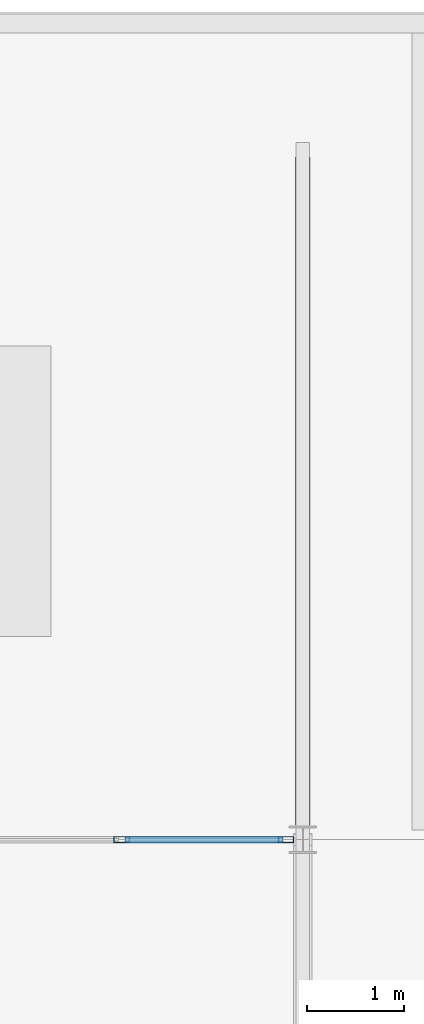
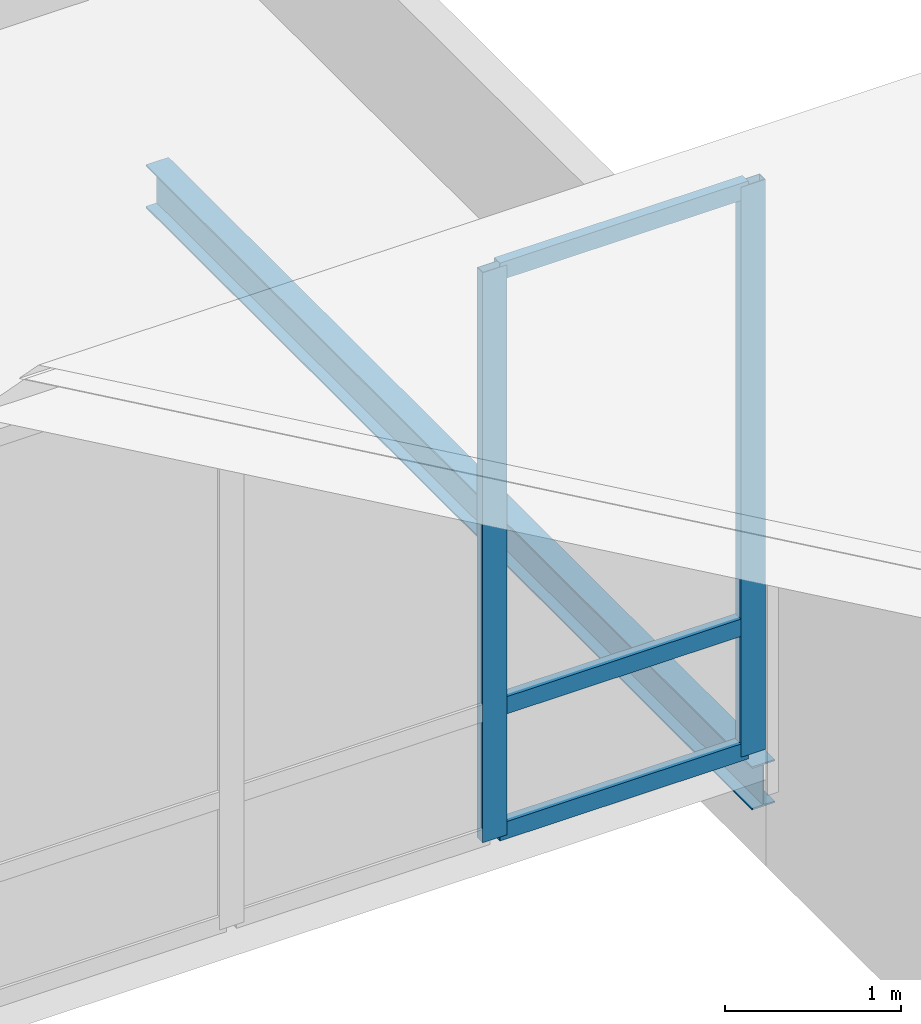
# One storey, part 87 of 157: 5 members, 1 beam, 1 element without a shape of its own.
"""IFC4 building model written with IfcOpenShell, lengths in metres."""

from ifc_helpers import new_model, si_unit, direction, frame, origin, origin_2d, place, context, subcontext, project, spatial, hollow_rectangle, i_section, extrude, material, material_profile, profile_set, type_object, element, aggregate, save


model = new_model("IFC4")

# Units and contexts
model_context = context("Model", 3, precision=1e-05, world=origin(), true_north=direction((0.0, 1.0)))
body_context = subcontext(model_context, "Body", "Model", "MODEL_VIEW")
ifc_project = project(units=[si_unit("LENGTHUNIT", "METRE"), si_unit("AREAUNIT", "SQUARE_METRE"), si_unit("VOLUMEUNIT", "CUBIC_METRE"), si_unit("PLANEANGLEUNIT", "RADIAN"), si_unit("MASSUNIT", "GRAM", prefix="KILO")], contexts=[model_context])

# Site, building, storey
site_placement = place(None, origin())
site = spatial("IfcSite", under=ifc_project, at=site_placement, CompositionType="ELEMENT")
building_placement = place(site_placement, origin())
building = spatial("IfcBuilding", under=site, at=building_placement, Name="Suanplinth Sawtooth Commons", CompositionType="ELEMENT")
storey_placement = place(building_placement, frame((0.0, 0.0, 9.0)))
storey = spatial("IfcBuildingStorey", under=building, at=storey_placement, Name="L02", CompositionType="ELEMENT", Elevation=9.0)

# Beam
ifc_material_1 = material(Name="Steel S355JR", Category="steel")
ifc_material_profile_1 = material_profile(ifc_material_1, i_section(OverallWidth=0.14990234375, OverallDepth=0.300048828125, WebThickness=0.007080078125, FlangeThickness=0.0107421875, at=origin_2d()), Name="IPE 300")
ifc_profile_set_1 = profile_set([ifc_material_profile_1], Name="Steel S355JR")
beam_type = type_object("IfcBeamType", Name="B-13", PredefinedType="BEAM", material=ifc_profile_set_1)
beam_placement = place(storey_placement, frame((172.800048828125, 64.949951171875, -0.14990234375), z_axis=(0.0, 1.0, 0.0), x_axis=(-1.0, 0.0, 0.0)))
element("IfcBeam", 1, at=beam_placement, inside=storey, type_object=beam_type, Name="BMY-L02-NURS-FLAT-24", PredefinedType="BEAM", context=body_context, shape_type="SweptSolid", body=[
    extrude(i_section(OverallWidth=0.14990234375, OverallDepth=0.300048828125, WebThickness=0.007080078125, FlangeThickness=0.0107421875, at=origin_2d()), origin(), (0.0, 0.0, 1.0), 6.900146484375),
])

# Curtain wall, members
ifc_material_2 = material(Name="Anodized aluminium and low-E glazing", Category="aluminium")
curtain_wall_type = type_object("IfcCurtainWallType", Name="CW-03", PredefinedType="USERDEFINED", material=ifc_material_2)
curtain_wall_placement = place(storey_placement, origin())
curtain_wall = element("IfcCurtainWall", 2, at=curtain_wall_placement, inside=storey, type_object=curtain_wall_type, Name="Curtain Wall CW-NURS-CLER-23", ObjectType="CURTAIN WALL", PredefinedType="USERDEFINED")
ifc_material_3 = material(Name="Anodized aluminium 6063-T6", Category="aluminium")
ifc_material_profile_2 = material_profile(ifc_material_3, hollow_rectangle(XDim=0.06494140625, YDim=0.159912109375, WallThickness=0.00390625, at=origin_2d()), Name="ALU-MUL 65x160")
ifc_profile_set_2 = profile_set([ifc_material_profile_2], Name="Anodized aluminium 6063-T6")
member_type_1 = type_object("IfcMemberType", Name="M-13", PredefinedType="MULLION", material=ifc_profile_set_2)
member_1_placement = place(storey_placement, frame((170.929931640625, 64.800048828125, 0.239990234375), z_axis=(0.0, 0.0, 1.0), x_axis=(0.0, 1.0, 0.0)))
member_1 = element("IfcMember", 3, at=member_1_placement, type_object=member_type_1, Name="CW-03 mullion 4", PredefinedType="MULLION", context=body_context, shape_type="SweptSolid", body=[
    extrude(hollow_rectangle(XDim=0.06494140625, YDim=0.159912109375, WallThickness=0.00390625, at=origin_2d()), origin(), (0.0, 0.0, 1.0), 3.9599609375),
])
member_2_placement = place(storey_placement, frame((172.62744140625, 64.800048828125, 0.239990234375), z_axis=(0.0, 0.0, 1.0), x_axis=(0.0, 1.0, 0.0)))
member_2 = element("IfcMember", 4, at=member_2_placement, type_object=member_type_1, Name="CW-03 mullion 5", PredefinedType="MULLION", context=body_context, shape_type="SweptSolid", body=[
    extrude(hollow_rectangle(XDim=0.06494140625, YDim=0.159912109375, WallThickness=0.00390625, at=origin_2d()), origin(), (0.0, 0.0, 1.0), 3.9599609375),
])
ifc_material_profile_3 = material_profile(ifc_material_3, hollow_rectangle(XDim=0.06494140625, YDim=0.1201171875, WallThickness=0.00390625, at=origin_2d()), Name="ALU-TRN 65x120")
ifc_profile_set_3 = profile_set([ifc_material_profile_3], Name="Anodized aluminium 6063-T6")
member_type_2 = type_object("IfcMemberType", Name="M-15", PredefinedType="USERDEFINED", material=ifc_profile_set_3)
member_3_placement = place(storey_placement, frame((170.96240234375, 64.800048828125, 0.2724609375), z_axis=(1.0, 0.0, 0.0), x_axis=(0.0, 1.0, 0.0)))
member_3 = element("IfcMember", 5, at=member_3_placement, type_object=member_type_2, Name="CW-03 transom 4.1", ObjectType="TRANSOM", PredefinedType="USERDEFINED", context=body_context, shape_type="SweptSolid", body=[
    extrude(hollow_rectangle(XDim=0.06494140625, YDim=0.1201171875, WallThickness=0.00390625, at=origin_2d()), origin(), (0.0, 0.0, 1.0), 1.632568359375),
])
member_4_placement = place(storey_placement, frame((170.96240234375, 64.800048828125, 1.139892578125), z_axis=(1.0, 0.0, 0.0), x_axis=(0.0, 1.0, 0.0)))
member_4 = element("IfcMember", 6, at=member_4_placement, type_object=member_type_2, Name="CW-03 transom 4.2", ObjectType="TRANSOM", PredefinedType="USERDEFINED", context=body_context, shape_type="SweptSolid", body=[
    extrude(hollow_rectangle(XDim=0.06494140625, YDim=0.1201171875, WallThickness=0.00390625, at=origin_2d()), origin(), (0.0, 0.0, 1.0), 1.632568359375),
])
member_5_placement = place(storey_placement, frame((170.96240234375, 64.800048828125, 4.16748046875), z_axis=(1.0, 0.0, 0.0), x_axis=(0.0, 1.0, 0.0)))
member_5 = element("IfcMember", 7, at=member_5_placement, type_object=member_type_2, Name="CW-03 transom 4.3", ObjectType="TRANSOM", PredefinedType="USERDEFINED", context=body_context, shape_type="SweptSolid", body=[
    extrude(hollow_rectangle(XDim=0.06494140625, YDim=0.1201171875, WallThickness=0.00390625, at=origin_2d()), origin(), (0.0, 0.0, 1.0), 1.632568359375),
])
aggregate(curtain_wall, [member_1, member_2, member_3, member_4, member_5])

save(model, "model.ifc")
